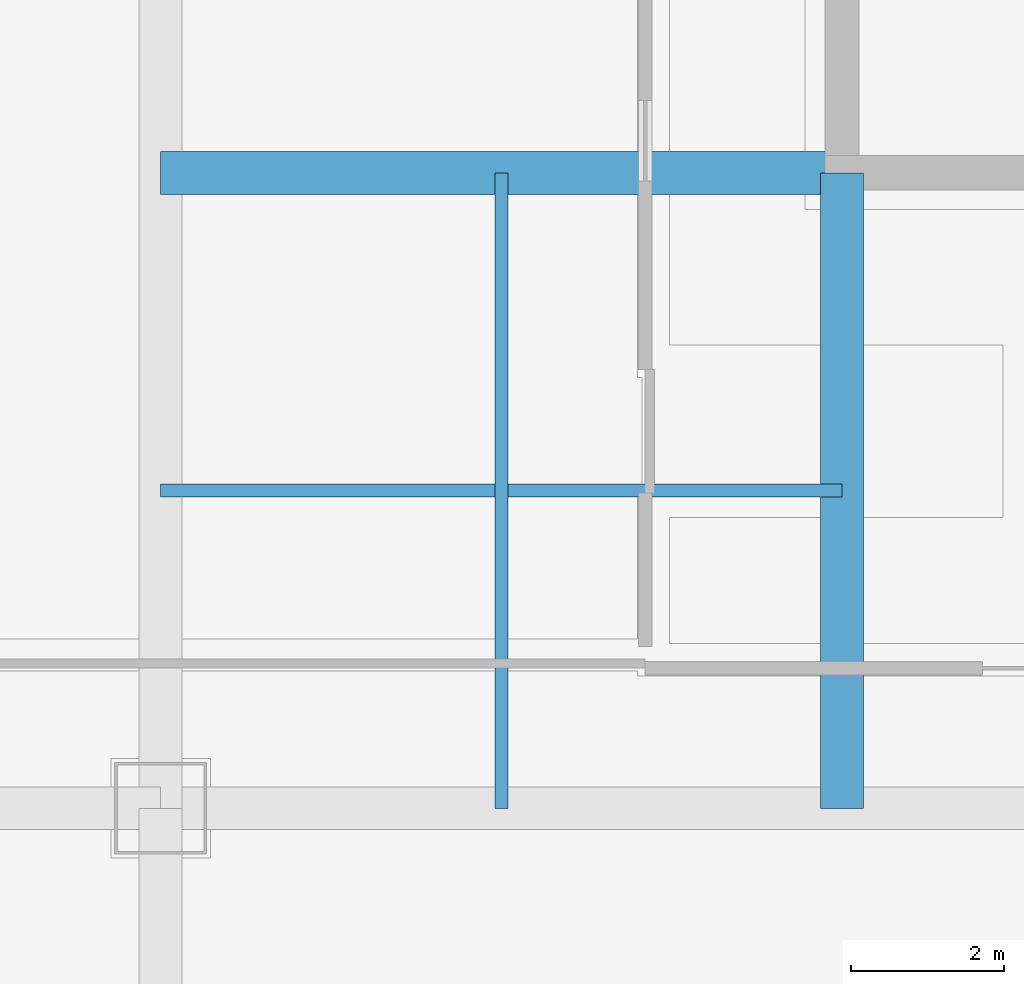
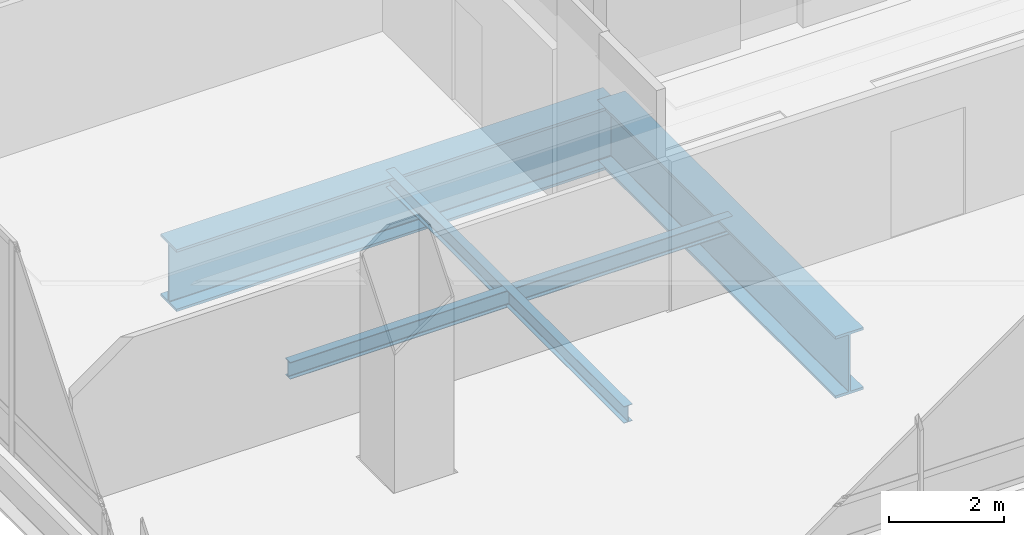
# One storey, part 6 of 45: 4 beams.
"""IFC4 building model written with IfcOpenShell, lengths in metres."""

from ifc_helpers import new_model, si_unit, direction, frame, origin, origin_2d, place, context, subcontext, project, spatial, i_section, extrude, material, material_profile, profile_set, type_object, element, save


model = new_model("IFC4")

# Units and contexts
model_context = context("Model", 3, precision=1e-05, world=origin(), true_north=direction((0.0, 1.0)))
body_context = subcontext(model_context, "Body", "Model", "MODEL_VIEW")
ifc_project = project(units=[si_unit("LENGTHUNIT", "METRE"), si_unit("AREAUNIT", "SQUARE_METRE"), si_unit("VOLUMEUNIT", "CUBIC_METRE"), si_unit("PLANEANGLEUNIT", "RADIAN"), si_unit("MASSUNIT", "GRAM", prefix="KILO")], contexts=[model_context])

# Site, building, storey
site_placement = place(None, origin())
site = spatial("IfcSite", under=ifc_project, at=site_placement, CompositionType="ELEMENT")
building_placement = place(site_placement, origin())
building = spatial("IfcBuilding", under=site, at=building_placement, Name="Punatoya Terracotta Tower", CompositionType="ELEMENT")
storey_placement = place(building_placement, frame((0.0, 0.0, 339.0)))
storey = spatial("IfcBuildingStorey", under=building, at=storey_placement, Name="L80", CompositionType="ELEMENT", Elevation=339.0)

# Beams
ifc_material_1 = material(Name="Steel S355", Category="steel")
ifc_material_profile_1 = material_profile(ifc_material_1, i_section(OverallWidth=0.169921875, OverallDepth=0.360107421875, WebThickness=0.008056640625, FlangeThickness=0.0126953125, FilletRadius=0.01806640625, at=origin_2d()))
ifc_profile_set_1 = profile_set([ifc_material_profile_1], Name="Steel S355")
beam_type_1 = type_object("IfcBeamType", Name="BM-SEC-360", PredefinedType="JOIST", material=ifc_profile_set_1)
beam_1_placement = place(storey_placement, frame((-19.10009765625, -13.35009765625, -0.43994140625), z_axis=(1.0, 0.0, 0.0), x_axis=(0.0, 1.0, 0.0)))
element("IfcBeam", 1, at=beam_1_placement, inside=storey, type_object=beam_type_1, Name="BM-L80-SJS-1", PredefinedType="JOIST", context=body_context, shape_type="SweptSolid", body=[
    extrude(i_section(OverallWidth=0.169921875, OverallDepth=0.360107421875, WebThickness=0.008056640625, FlangeThickness=0.0126953125, FilletRadius=0.01806640625, at=origin_2d()), origin(), (0.0, 0.0, 1.0), 8.900146484375),
])
beam_2_placement = place(storey_placement, frame((-14.64990234375, -17.5, -0.43994140625), z_axis=(0.0, 1.0, 0.0), x_axis=(-1.0, 0.0, 0.0)))
element("IfcBeam", 2, at=beam_2_placement, inside=storey, type_object=beam_type_1, Name="BM-L80-SJW-1", PredefinedType="JOIST", context=body_context, shape_type="SweptSolid", body=[
    extrude(i_section(OverallWidth=0.169921875, OverallDepth=0.360107421875, WebThickness=0.008056640625, FlangeThickness=0.0126953125, FilletRadius=0.01806640625, at=origin_2d()), origin(), (0.0, 0.0, 1.0), 8.300048828125),
])
ifc_material_2 = material(Name="Steel S460", Category="steel")
ifc_material_profile_2 = material_profile(ifc_material_2, i_section(OverallWidth=0.56005859375, OverallDepth=1.320068359375, WebThickness=0.035888671875, FlangeThickness=0.054931640625, FilletRadius=0.01806640625, at=origin_2d()))
ifc_profile_set_2 = profile_set([ifc_material_profile_2], Name="Steel S460")
beam_type_2 = type_object("IfcBeamType", Name="BM-TG-BLK", PredefinedType="BEAM", material=ifc_profile_set_2)
beam_3_placement = place(storey_placement, frame((-19.10009765625, -9.199951171875, -0.919921875), z_axis=(1.0, 0.0, 0.0), x_axis=(0.0, 1.0, 0.0)))
element("IfcBeam", 3, at=beam_3_placement, inside=storey, type_object=beam_type_2, Name="BM-L80-PR-WS", PredefinedType="BEAM", context=body_context, shape_type="SweptSolid", body=[
    extrude(i_section(OverallWidth=0.56005859375, OverallDepth=1.320068359375, WebThickness=0.035888671875, FlangeThickness=0.054931640625, FilletRadius=0.01806640625, at=origin_2d()), origin(), (0.0, 0.0, 1.0), 8.900146484375),
])
beam_4_placement = place(storey_placement, frame((-10.199951171875, -17.5, -0.919921875), z_axis=(0.0, 1.0, 0.0), x_axis=(-1.0, 0.0, 0.0)))
element("IfcBeam", 4, at=beam_4_placement, inside=storey, type_object=beam_type_2, Name="BM-L80-PR-S1", PredefinedType="BEAM", context=body_context, shape_type="SweptSolid", body=[
    extrude(i_section(OverallWidth=0.56005859375, OverallDepth=1.320068359375, WebThickness=0.035888671875, FlangeThickness=0.054931640625, FilletRadius=0.01806640625, at=origin_2d()), origin(), (0.0, 0.0, 1.0), 8.300048828125),
])

save(model, "model.ifc")
